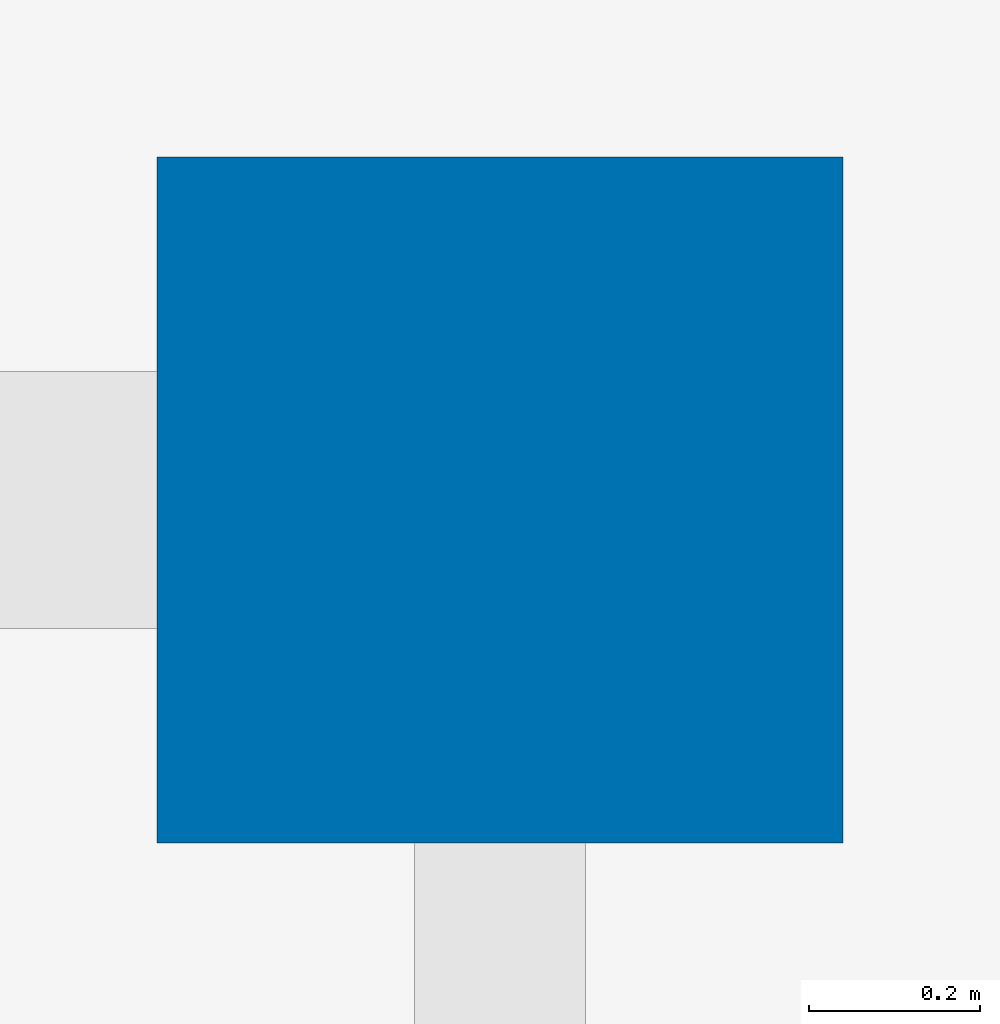
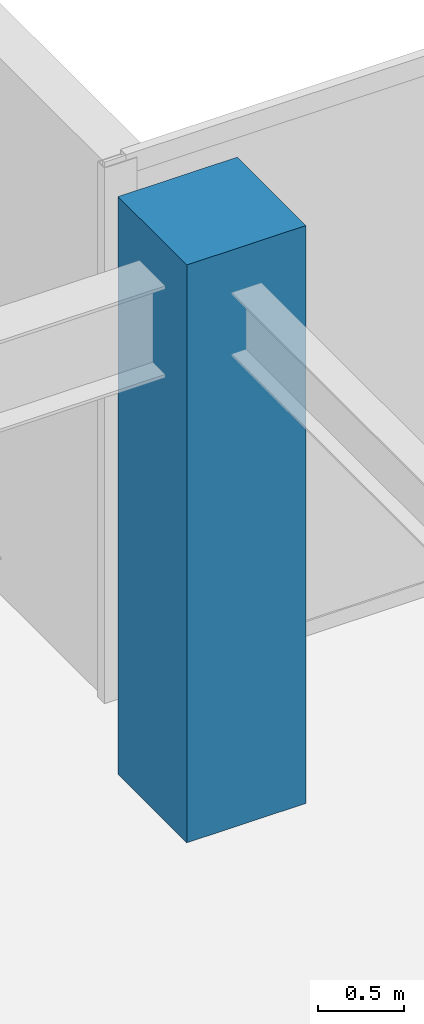
# One storey, part 4 of 33: 1 column.
"""IFC4 building model written with IfcOpenShell, lengths in metres."""

from ifc_helpers import new_model, si_unit, direction, frame, origin, origin_2d, place, context, subcontext, project, spatial, rectangle, extrude, source, transform, mapped, material, material_profile, profile_set, type_object, type_shapes, element, save


model = new_model("IFC4")

# Units and contexts
model_context = context("Model", 3, precision=1e-05, world=origin(), true_north=direction((0.0, 1.0)))
body_context = subcontext(model_context, "Body", "Model", "MODEL_VIEW")
ifc_project = project(units=[si_unit("LENGTHUNIT", "METRE"), si_unit("AREAUNIT", "SQUARE_METRE"), si_unit("VOLUMEUNIT", "CUBIC_METRE"), si_unit("PLANEANGLEUNIT", "RADIAN"), si_unit("MASSUNIT", "GRAM", prefix="KILO")], contexts=[model_context])

# Site, building, storey
site_placement = place(None, origin())
site = spatial("IfcSite", under=ifc_project, at=site_placement, CompositionType="ELEMENT")
building_placement = place(site_placement, origin())
building = spatial("IfcBuilding", under=site, at=building_placement, Name="Haelvirn Gate Laboratories", CompositionType="ELEMENT")
storey_placement = place(building_placement, frame((0.0, 0.0, 238.300048828125)))
storey = spatial("IfcBuildingStorey", under=building, at=storey_placement, Name="L57", CompositionType="ELEMENT", Elevation=238.300048828125)

# Column
ifc_material = material(Name="Concrete C50/60", Category="concrete")
ifc_material_profile = material_profile(ifc_material, rectangle(XDim=0.800048828125, YDim=0.800048828125, at=origin_2d()), Name="RC-800x800")
ifc_profile_set = profile_set([ifc_material_profile], Name="Concrete C50/60")
column_type = type_object("IfcColumnType", Name="COL-RC-800", PredefinedType="COLUMN", material=ifc_profile_set)
shared_shape = source(origin(), body_context, "Body", "SweptSolid", [
    extrude(rectangle(XDim=0.800048828125, YDim=0.800048828125, at=origin_2d()), origin(), (0.0, 0.0, 1.0), 4.099853515625),
])
type_shapes(column_type, [shared_shape])
column_placement = place(storey_placement, frame((67.39990234375, 41.60009765625, 0.0), z_axis=(0.0, 0.0, 1.0), x_axis=(1.0, 0.0, 0.0)))
element("IfcColumn", 1, at=column_placement, inside=storey, type_object=column_type, Name="L57 Column 10G", PredefinedType="COLUMN", context=body_context, shape_type="MappedRepresentation", body=[
    mapped(shared_shape, transform((0.0, 0.0, 0.0), scale=1.0)),
])

save(model, "model.ifc")
